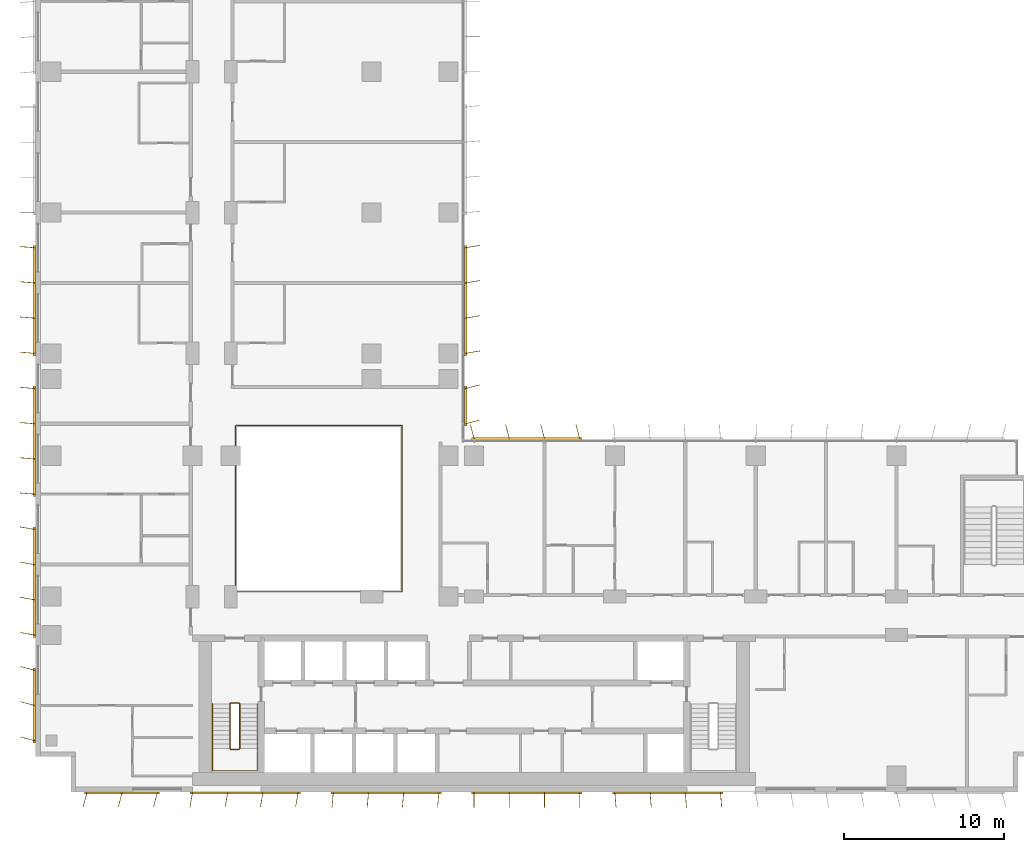
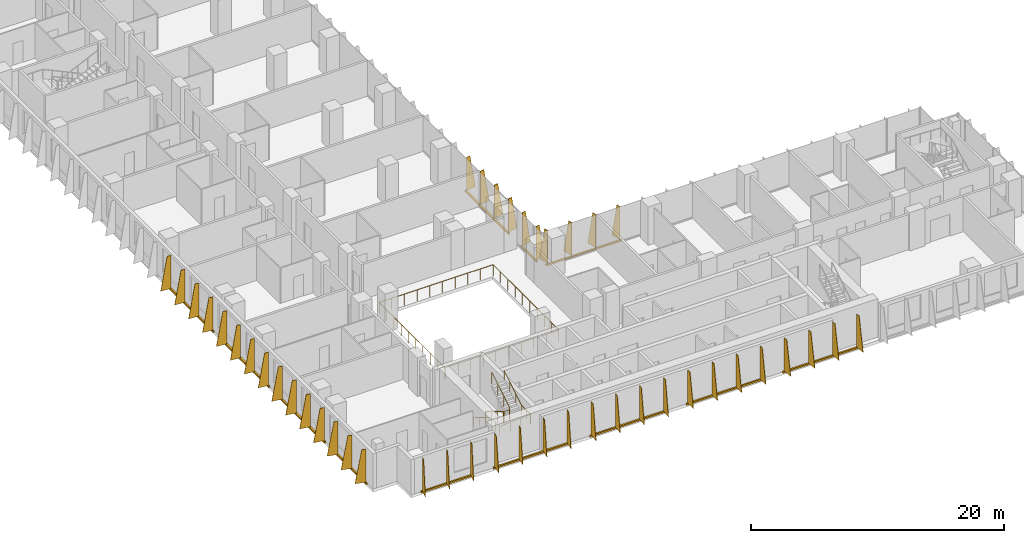
# One storey, part 19 of 22: 12 shading devices, 3 railings.
"""IFC4 building model written with IfcOpenShell, lengths in metres."""

from ifc_helpers import new_model, si_unit, direction, frame, origin, origin_2d, place, context, subcontext, project, spatial, polyline, rectangle, circle, outline, extrude, source, transform, mapped, material, layer, layer_set, type_object, element, save


model = new_model("IFC4")

# Units and contexts
model_context = context("Model", 3, precision=1e-05, world=origin(), true_north=direction((0.0, 1.0)))
body_context = subcontext(model_context, "Body", "Model", "MODEL_VIEW")
ifc_project = project(units=[si_unit("LENGTHUNIT", "METRE"), si_unit("AREAUNIT", "SQUARE_METRE"), si_unit("VOLUMEUNIT", "CUBIC_METRE"), si_unit("PLANEANGLEUNIT", "RADIAN"), si_unit("MASSUNIT", "GRAM", prefix="KILO")], contexts=[model_context])

# Site, building, storey
site_placement = place(None, origin())
site = spatial("IfcSite", under=ifc_project, at=site_placement, CompositionType="ELEMENT")
building_placement = place(site_placement, origin())
building = spatial("IfcBuilding", under=site, at=building_placement, Name="Kemantara Hotel Tower", CompositionType="ELEMENT")
storey_placement = place(building_placement, frame((0.0, 0.0, 145.699951171875)))
storey = spatial("IfcBuildingStorey", under=building, at=storey_placement, Name="L35", CompositionType="ELEMENT", Elevation=145.699951171875)

# Railings
ifc_material_1 = material(Name="Stainless steel and laminated glass balustrade", Category="steel")
railing_type_1 = type_object("IfcRailingType", Name="ATRIUM GUARD 1100", PredefinedType="GUARDRAIL", material=ifc_material_1)
railing_1_placement = place(storey_placement, frame((12.56005859375, 12.5, 0.0)))
element("IfcRailing", 1, at=railing_1_placement, inside=storey, type_object=railing_type_1, Name="ATRIUM GUARD L35", PredefinedType="GUARDRAIL", context=body_context, shape_type="SweptSolid", body=[
    extrude(circle(Radius=0.02490234375, at=origin_2d()), frame((0.0, 0.0, 1.0751953125), z_axis=(1.0, 0.0, 0.0), x_axis=(0.0, 1.0, 0.0)), (0.0, 0.0, 1.0), 10.33984375),
    extrude(circle(Radius=0.02490234375, at=origin_2d()), frame((10.33984375, 0.0, 1.0751953125), z_axis=(0.0, 1.0, 0.0), x_axis=(-1.0, 0.0, 0.0)), (0.0, 0.0, 1.0), 10.39990234375),
    extrude(circle(Radius=0.02490234375, at=origin_2d()), frame((10.33984375, 10.39990234375, 1.0751953125), z_axis=(-1.0, 0.0, 0.0), x_axis=(0.0, -1.0, 0.0)), (0.0, 0.0, 1.0), 10.39990234375),
    extrude(circle(Radius=0.02490234375, at=origin_2d()), frame((-0.06005859375, 10.39990234375, 1.0751953125), z_axis=(0.0, -1.0, 0.0), x_axis=(1.0, 0.0, 0.0)), (0.0, 0.0, 1.0), 10.39990234375),
    extrude(circle(Radius=0.02001953125, at=origin_2d()), origin(), (0.0, 0.0, 1.0), 1.050048828125),
    extrude(circle(Radius=0.02001953125, at=origin_2d()), frame((1.14892578125, 0.0, 0.0)), (0.0, 0.0, 1.0), 1.050048828125),
    extrude(circle(Radius=0.02001953125, at=origin_2d()), frame((2.2978515625, 0.0, 0.0)), (0.0, 0.0, 1.0), 1.050048828125),
    extrude(circle(Radius=0.02001953125, at=origin_2d()), frame((3.446533203125, 0.0, 0.0)), (0.0, 0.0, 1.0), 1.050048828125),
    extrude(circle(Radius=0.02001953125, at=origin_2d()), frame((4.595458984375, 0.0, 0.0)), (0.0, 0.0, 1.0), 1.050048828125),
    extrude(circle(Radius=0.02001953125, at=origin_2d()), frame((5.744384765625, 0.0, 0.0)), (0.0, 0.0, 1.0), 1.050048828125),
    extrude(circle(Radius=0.02001953125, at=origin_2d()), frame((6.893310546875, 0.0, 0.0)), (0.0, 0.0, 1.0), 1.050048828125),
    extrude(circle(Radius=0.02001953125, at=origin_2d()), frame((8.0419921875, 0.0, 0.0)), (0.0, 0.0, 1.0), 1.050048828125),
    extrude(circle(Radius=0.02001953125, at=origin_2d()), frame((9.19091796875, 0.0, 0.0)), (0.0, 0.0, 1.0), 1.050048828125),
    extrude(circle(Radius=0.02001953125, at=origin_2d()), frame((10.33984375, 0.0, 0.0)), (0.0, 0.0, 1.0), 1.050048828125),
    extrude(circle(Radius=0.02001953125, at=origin_2d()), frame((10.33984375, 1.155517578125, 0.0)), (0.0, 0.0, 1.0), 1.050048828125),
    extrude(circle(Radius=0.02001953125, at=origin_2d()), frame((10.33984375, 2.31103515625, 0.0)), (0.0, 0.0, 1.0), 1.050048828125),
    extrude(circle(Radius=0.02001953125, at=origin_2d()), frame((10.33984375, 3.466552734375, 0.0)), (0.0, 0.0, 1.0), 1.050048828125),
    extrude(circle(Radius=0.02001953125, at=origin_2d()), frame((10.33984375, 4.6220703125, 0.0)), (0.0, 0.0, 1.0), 1.050048828125),
    extrude(circle(Radius=0.02001953125, at=origin_2d()), frame((10.33984375, 5.77783203125, 0.0)), (0.0, 0.0, 1.0), 1.050048828125),
    extrude(circle(Radius=0.02001953125, at=origin_2d()), frame((10.33984375, 6.933349609375, 0.0)), (0.0, 0.0, 1.0), 1.050048828125),
    extrude(circle(Radius=0.02001953125, at=origin_2d()), frame((10.33984375, 8.0888671875, 0.0)), (0.0, 0.0, 1.0), 1.050048828125),
    extrude(circle(Radius=0.02001953125, at=origin_2d()), frame((10.33984375, 9.244384765625, 0.0)), (0.0, 0.0, 1.0), 1.050048828125),
    extrude(circle(Radius=0.02001953125, at=origin_2d()), frame((10.33984375, 10.39990234375, 0.0)), (0.0, 0.0, 1.0), 1.050048828125),
    extrude(circle(Radius=0.02001953125, at=origin_2d()), frame((9.184326171875, 10.39990234375, 0.0)), (0.0, 0.0, 1.0), 1.050048828125),
    extrude(circle(Radius=0.02001953125, at=origin_2d()), frame((8.02880859375, 10.39990234375, 0.0)), (0.0, 0.0, 1.0), 1.050048828125),
    extrude(circle(Radius=0.02001953125, at=origin_2d()), frame((6.873291015625, 10.39990234375, 0.0)), (0.0, 0.0, 1.0), 1.050048828125),
    extrude(circle(Radius=0.02001953125, at=origin_2d()), frame((5.7177734375, 10.39990234375, 0.0)), (0.0, 0.0, 1.0), 1.050048828125),
    extrude(circle(Radius=0.02001953125, at=origin_2d()), frame((4.56201171875, 10.39990234375, 0.0)), (0.0, 0.0, 1.0), 1.050048828125),
    extrude(circle(Radius=0.02001953125, at=origin_2d()), frame((3.406494140625, 10.39990234375, 0.0)), (0.0, 0.0, 1.0), 1.050048828125),
    extrude(circle(Radius=0.02001953125, at=origin_2d()), frame((2.2509765625, 10.39990234375, 0.0)), (0.0, 0.0, 1.0), 1.050048828125),
    extrude(circle(Radius=0.02001953125, at=origin_2d()), frame((1.095458984375, 10.39990234375, 0.0)), (0.0, 0.0, 1.0), 1.050048828125),
    extrude(circle(Radius=0.02001953125, at=origin_2d()), frame((-0.06005859375, 10.39990234375, 0.0)), (0.0, 0.0, 1.0), 1.050048828125),
    extrude(circle(Radius=0.02001953125, at=origin_2d()), frame((-0.06005859375, 9.244384765625, 0.0)), (0.0, 0.0, 1.0), 1.050048828125),
    extrude(circle(Radius=0.02001953125, at=origin_2d()), frame((-0.06005859375, 8.0888671875, 0.0)), (0.0, 0.0, 1.0), 1.050048828125),
    extrude(circle(Radius=0.02001953125, at=origin_2d()), frame((-0.06005859375, 6.933349609375, 0.0)), (0.0, 0.0, 1.0), 1.050048828125),
    extrude(circle(Radius=0.02001953125, at=origin_2d()), frame((-0.06005859375, 5.77783203125, 0.0)), (0.0, 0.0, 1.0), 1.050048828125),
    extrude(circle(Radius=0.02001953125, at=origin_2d()), frame((-0.06005859375, 4.6220703125, 0.0)), (0.0, 0.0, 1.0), 1.050048828125),
    extrude(circle(Radius=0.02001953125, at=origin_2d()), frame((-0.06005859375, 3.466552734375, 0.0)), (0.0, 0.0, 1.0), 1.050048828125),
    extrude(circle(Radius=0.02001953125, at=origin_2d()), frame((-0.06005859375, 2.31103515625, 0.0)), (0.0, 0.0, 1.0), 1.050048828125),
    extrude(circle(Radius=0.02001953125, at=origin_2d()), frame((-0.06005859375, 1.155517578125, 0.0)), (0.0, 0.0, 1.0), 1.050048828125),
    extrude(circle(Radius=0.02001953125, at=origin_2d()), frame((-0.06005859375, 0.0, 0.0)), (0.0, 0.0, 1.0), 1.050048828125),
])
ifc_material_2 = material(Name="Stainless steel balustrade", Category="steel")
railing_type_2 = type_object("IfcRailingType", Name="Stair guard 1100 mm", PredefinedType="GUARDRAIL", material=ifc_material_2)
railing_2_placement = place(storey_placement, frame((12.75, 5.5, 3.699951171875)))
element("IfcRailing", 2, at=railing_2_placement, inside=storey, type_object=railing_type_2, Name="L35 ST1 stair guard 1", PredefinedType="GUARDRAIL", context=body_context, shape_type="SweptSolid", body=[
    extrude(circle(Radius=0.02392578125, at=origin_2d()), frame((0.0, 0.0, 1.076171875), z_axis=(0.0, -0.857275202839, -0.514858452973), x_axis=(1.0, 0.0, 0.0)), (0.0, 0.0, 1.0), 3.26611328125),
    extrude(circle(Radius=0.02392578125, at=origin_2d()), frame((0.0, -2.800048828125, -0.60546875), z_axis=(-0.274243871929, -0.274243871929, -0.92172696468), x_axis=(0.707106781187, -0.707106781187, 0.0)), (0.0, 0.0, 1.0), 0.1826171875),
    extrude(circle(Radius=0.02392578125, at=origin_2d()), frame((-0.050048828125, -2.85009765625, -0.77392578125), z_axis=(-1.0, 0.0, 0.0), x_axis=(0.0, -1.0, 0.0)), (0.0, 0.0, 1.0), 0.5),
    extrude(circle(Radius=0.02392578125, at=origin_2d()), frame((-0.550048828125, -2.85009765625, -0.77392578125), z_axis=(-0.707106781187, 0.707106781187, 0.0), x_axis=(-0.707106781187, -0.707106781187, 0.0)), (0.0, 0.0, 1.0), 0.07080078125),
    extrude(circle(Radius=0.02392578125, at=origin_2d()), frame((-0.60009765625, -2.800048828125, -0.77392578125), z_axis=(0.0, 0.857242210791, -0.514913383045), x_axis=(-1.0, 0.0, 0.0)), (0.0, 0.0, 1.0), 3.266357421875),
    extrude(circle(Radius=0.02392578125, at=origin_2d()), frame((-0.60009765625, 0.0, -2.45556640625), z_axis=(0.274243871929, 0.274243871929, -0.92172696468), x_axis=(-0.707106781187, 0.707106781187, 0.0)), (0.0, 0.0, 1.0), 0.1826171875),
    extrude(circle(Radius=0.02392578125, at=origin_2d()), frame((-0.550048828125, 0.050048828125, -2.6240234375), z_axis=(1.0, 0.0, 0.0), x_axis=(0.0, 1.0, 0.0)), (0.0, 0.0, 1.0), 0.5),
    extrude(circle(Radius=0.02099609375, at=origin_2d()), origin(), (0.0, 0.0, 1.0), 1.052001953125),
    extrude(circle(Radius=0.02099609375, at=origin_2d()), frame((0.0, -0.933349609375, -0.560546875)), (0.0, 0.0, 1.0), 1.052001953125),
    extrude(circle(Radius=0.02099609375, at=origin_2d()), frame((0.0, -1.86669921875, -1.12109375)), (0.0, 0.0, 1.0), 1.052001953125),
    extrude(circle(Radius=0.02099609375, at=origin_2d()), frame((0.0, -2.800048828125, -1.681640625)), (0.0, 0.0, 1.0), 1.052001953125),
    extrude(circle(Radius=0.02099609375, at=origin_2d()), frame((-0.050048828125, -2.85009765625, -1.849853515625)), (0.0, 0.0, 1.0), 1.052001953125),
    extrude(circle(Radius=0.02099609375, at=origin_2d()), frame((-0.550048828125, -2.85009765625, -1.849853515625)), (0.0, 0.0, 1.0), 1.052001953125),
    extrude(circle(Radius=0.02099609375, at=origin_2d()), frame((-0.60009765625, -2.800048828125, -1.849853515625)), (0.0, 0.0, 1.0), 1.052001953125),
    extrude(circle(Radius=0.02099609375, at=origin_2d()), frame((-0.60009765625, -1.86669921875, -2.410400390625)), (0.0, 0.0, 1.0), 1.052001953125),
    extrude(circle(Radius=0.02099609375, at=origin_2d()), frame((-0.60009765625, -0.933349609375, -2.97119140625)), (0.0, 0.0, 1.0), 1.052001953125),
    extrude(circle(Radius=0.02099609375, at=origin_2d()), frame((-0.60009765625, 0.0, -3.53173828125)), (0.0, 0.0, 1.0), 1.052001953125),
    extrude(circle(Radius=0.02099609375, at=origin_2d()), frame((-0.550048828125, 0.050048828125, -3.699951171875)), (0.0, 0.0, 1.0), 1.052001953125),
    extrude(circle(Radius=0.02099609375, at=origin_2d()), frame((-0.050048828125, 0.050048828125, -3.699951171875)), (0.0, 0.0, 1.0), 1.052001953125),
])
railing_type_3 = type_object("IfcRailingType", Name="Stair handrail 900 mm", PredefinedType="HANDRAIL", material=ifc_material_2)
railing_3_placement = place(storey_placement, frame((11.050048828125, 5.5, 0.168212890625)))
element("IfcRailing", 3, at=railing_3_placement, inside=storey, type_object=railing_type_3, Name="L35 ST1 stair handrail 1", PredefinedType="HANDRAIL", context=body_context, shape_type="SweptSolid", body=[
    extrude(circle(Radius=0.02392578125, at=origin_2d()), frame((0.0, 0.0, 0.8759765625), z_axis=(0.0, -0.857242210791, 0.514913383045), x_axis=(1.0, 0.0, 0.0)), (0.0, 0.0, 1.0), 3.266357421875),
    extrude(circle(Radius=0.02392578125, at=origin_2d()), frame((0.0, -2.800048828125, 2.5576171875), z_axis=(0.0, -1.0, 0.0), x_axis=(1.0, 0.0, 0.0)), (0.0, 0.0, 1.0), 1.3798828125),
    extrude(circle(Radius=0.02392578125, at=origin_2d()), frame((0.0, -4.179931640625, 2.5576171875), z_axis=(0.998200367801, 0.0, 0.059966871865), x_axis=(0.0, 1.0, 0.0)), (0.0, 0.0, 1.0), 2.80517578125),
    extrude(circle(Radius=0.02392578125, at=origin_2d()), frame((2.800048828125, -4.179931640625, 2.72607421875), z_axis=(0.0, 1.0, 0.0), x_axis=(-1.0, 0.0, 0.0)), (0.0, 0.0, 1.0), 1.3798828125),
    extrude(circle(Radius=0.02392578125, at=origin_2d()), frame((2.800048828125, -2.800048828125, 2.72607421875), z_axis=(0.0, 0.857275202839, 0.514858452973), x_axis=(-1.0, 0.0, 0.0)), (0.0, 0.0, 1.0), 3.26611328125),
    extrude(circle(Radius=0.02099609375, at=origin_2d()), origin(), (0.0, 0.0, 1.0), 0.851806640625),
    extrude(circle(Radius=0.02099609375, at=origin_2d()), frame((0.0, -0.933349609375, 0.560546875)), (0.0, 0.0, 1.0), 0.851806640625),
    extrude(circle(Radius=0.02099609375, at=origin_2d()), frame((0.0, -1.86669921875, 1.121337890625)), (0.0, 0.0, 1.0), 0.851806640625),
    extrude(circle(Radius=0.02099609375, at=origin_2d()), frame((0.0, -2.800048828125, 1.681884765625)), (0.0, 0.0, 1.0), 0.851806640625),
    extrude(circle(Radius=0.02099609375, at=origin_2d()), frame((0.0, -3.489990234375, 1.681884765625)), (0.0, 0.0, 1.0), 0.851806640625),
    extrude(circle(Radius=0.02099609375, at=origin_2d()), frame((0.0, -4.179931640625, 1.681884765625)), (0.0, 0.0, 1.0), 0.851806640625),
    extrude(circle(Radius=0.02099609375, at=origin_2d()), frame((0.933349609375, -4.179931640625, 1.738037109375)), (0.0, 0.0, 1.0), 0.851806640625),
    extrude(circle(Radius=0.02099609375, at=origin_2d()), frame((1.86669921875, -4.179931640625, 1.7939453125)), (0.0, 0.0, 1.0), 0.851806640625),
    extrude(circle(Radius=0.02099609375, at=origin_2d()), frame((2.800048828125, -4.179931640625, 1.85009765625)), (0.0, 0.0, 1.0), 0.851806640625),
    extrude(circle(Radius=0.02099609375, at=origin_2d()), frame((2.800048828125, -3.489990234375, 1.85009765625)), (0.0, 0.0, 1.0), 0.851806640625),
    extrude(circle(Radius=0.02099609375, at=origin_2d()), frame((2.800048828125, -2.800048828125, 1.85009765625)), (0.0, 0.0, 1.0), 0.851806640625),
    extrude(circle(Radius=0.02099609375, at=origin_2d()), frame((2.800048828125, -1.86669921875, 2.41064453125)), (0.0, 0.0, 1.0), 0.851806640625),
    extrude(circle(Radius=0.02099609375, at=origin_2d()), frame((2.800048828125, -0.933349609375, 2.97119140625)), (0.0, 0.0, 1.0), 0.851806640625),
    extrude(circle(Radius=0.02099609375, at=origin_2d()), frame((2.800048828125, 0.0, 3.53173828125)), (0.0, 0.0, 1.0), 0.851806640625),
])

# Shading devices
ifc_material_3 = material(Name="Perforated aluminium plate 4 mm bronze anodised", Category="aluminium")
ifc_layer_1 = layer(ifc_material_3, 0.0400390625)
ifc_layer_set_1 = layer_set([ifc_layer_1], Name="Perforated aluminium plate 4 mm bronze anodised")
shading_device_type_1 = type_object("IfcShadingDeviceType", Name="SCREEN FIN CASSETTE, 3 BLADES AT -15.0 DEG, 3200 HIGH", PredefinedType="USERDEFINED", material=ifc_layer_set_1)
shared_shape_1 = source(origin(), body_context, "Body", "SweptSolid", [
    extrude(rectangle(XDim=4.699951171875, YDim=0.14990234375, at=origin_2d()), frame((2.199951171875, -0.074951171875, -0.14990234375), z_axis=(0.0, 0.0, 1.0), x_axis=(1.0, 0.0, 0.0)), (0.0, 0.0, 1.0), 0.14990234375),
    extrude(outline(polyline([(0.0, 0.0), (0.89990234375, 0.0), (0.35009765625, 3.199951171875), (0.0, 3.199951171875), (0.0, 0.0)])), frame((0.019287109375, -0.080078125, 0.0), z_axis=(-0.966437683387, 0.256901156343, 0.0), x_axis=(-0.256901156343, -0.966437683387, 0.0)), (0.0, 0.0, 1.0), 0.039794921875),
    extrude(outline(polyline([(0.0, 0.0), (0.89990234375, 0.0), (0.35009765625, 3.199951171875), (0.0, 3.199951171875), (0.0, 0.0)])), frame((2.21923828125, -0.080078125, 0.0), z_axis=(-0.966437683387, 0.256901156343, 0.0), x_axis=(-0.256901156343, -0.966437683387, 0.0)), (0.0, 0.0, 1.0), 0.039794921875),
    extrude(outline(polyline([(0.0, 0.0), (0.89990234375, 0.0), (0.35009765625, 3.199951171875), (0.0, 3.199951171875), (0.0, 0.0)])), frame((4.41943359375, -0.080078125, 0.0), z_axis=(-0.966837822169, 0.255391122837, 0.0), x_axis=(-0.255391122837, -0.966837822169, 0.0)), (0.0, 0.0, 1.0), 0.0400390625),
])
for number, where, z_axis, x_axis, name in (
    (4, (0.0, 7.60009765625, 0.10009765625), (0.0, 0.0, 1.0), (0.0, -1.0, 0.0), "SCREEN FIN CASSETTE L35 T2-R04-9"),
    (5, (3.199951171875, 0.0, 0.10009765625), (0.0, 0.0, 1.0), (1.0, 0.0, 0.0), "SCREEN FIN CASSETTE L35 T2-R07-1"),
):
    element("IfcShadingDevice", number, at=place(storey_placement, frame(where, z_axis=z_axis, x_axis=x_axis)), inside=storey, type_object=shading_device_type_1, Name=name, ObjectType="SCREEN FIN", PredefinedType="USERDEFINED", context=body_context, shape_type="MappedRepresentation", body=[
        mapped(shared_shape_1, transform((0.0, 0.0, 0.0))),
    ])
ifc_layer_2 = layer(ifc_material_3, 0.0400390625)
ifc_layer_set_2 = layer_set([ifc_layer_2], Name="Perforated aluminium plate 4 mm bronze anodised")
shading_device_type_2 = type_object("IfcShadingDeviceType", Name="SCREEN FIN CASSETTE, 4 BLADES AT -10.0 DEG, 3200 HIGH", PredefinedType="USERDEFINED", material=ifc_layer_set_2)
shared_shape_2 = source(origin(), body_context, "Body", "SweptSolid", [
    extrude(rectangle(XDim=6.89990234375, YDim=0.14990234375, at=origin_2d()), frame((3.300048828125, -0.074951171875, -0.14990234375), z_axis=(0.0, 0.0, 1.0), x_axis=(1.0, 0.0, 0.0)), (0.0, 0.0, 1.0), 0.14990234375),
    extrude(outline(polyline([(0.0, 0.0), (0.89990234375, 0.0), (0.35009765625, 3.199951171875), (0.0, 3.199951171875), (0.0, 0.0)])), frame((0.019775390625, -0.078369140625, 0.0), z_axis=(-0.985389793052, 0.170314285219, 0.0), x_axis=(-0.170314285219, -0.985389793052, 0.0)), (0.0, 0.0, 1.0), 0.0400390625),
    extrude(outline(polyline([(0.0, 0.0), (0.89990234375, 0.0), (0.35009765625, 3.199951171875), (0.0, 3.199951171875), (0.0, 0.0)])), frame((2.2197265625, -0.078369140625, 0.0), z_axis=(-0.98521175482, 0.171341174751, 0.0), x_axis=(-0.171341174751, -0.98521175482, 0.0)), (0.0, 0.0, 1.0), 0.039794921875),
    extrude(outline(polyline([(0.0, 0.0), (0.89990234375, 0.0), (0.35009765625, 3.199951171875), (0.0, 3.199951171875), (0.0, 0.0)])), frame((4.419677734375, -0.078369140625, 0.0), z_axis=(-0.98521175482, 0.171341174751, 0.0), x_axis=(-0.171341174751, -0.98521175482, 0.0)), (0.0, 0.0, 1.0), 0.039794921875),
    extrude(outline(polyline([(0.0, 0.0), (0.89990234375, 0.0), (0.35009765625, 3.199951171875), (0.0, 3.199951171875), (0.0, 0.0)])), frame((6.61962890625, -0.078369140625, 0.0), z_axis=(-0.98521175482, 0.171341174751, 0.0), x_axis=(-0.171341174751, -0.98521175482, 0.0)), (0.0, 0.0, 1.0), 0.039794921875),
])
for number, where, z_axis, x_axis, name in (
    (6, (0.0, 16.39990234375, 0.10009765625), (0.0, 0.0, 1.0), (0.0, -1.0, 0.0), "SCREEN FIN CASSETTE L35 T2-R04-8"),
    (7, (9.800048828125, 0.0, 0.10009765625), (0.0, 0.0, 1.0), (1.0, 0.0, 0.0), "SCREEN FIN CASSETTE L35 T2-R07-2"),
):
    element("IfcShadingDevice", number, at=place(storey_placement, frame(where, z_axis=z_axis, x_axis=x_axis)), inside=storey, type_object=shading_device_type_2, Name=name, ObjectType="SCREEN FIN", PredefinedType="USERDEFINED", context=body_context, shape_type="MappedRepresentation", body=[
        mapped(shared_shape_2, transform((0.0, 0.0, 0.0))),
    ])
ifc_layer_3 = layer(ifc_material_3, 0.0400390625)
ifc_layer_set_3 = layer_set([ifc_layer_3], Name="Perforated aluminium plate 4 mm bronze anodised")
shading_device_type_3 = type_object("IfcShadingDeviceType", Name="SCREEN FIN CASSETTE, 4 BLADES AT -5.0 DEG, 3200 HIGH", PredefinedType="USERDEFINED", material=ifc_layer_set_3)
shared_shape_3 = source(origin(), body_context, "Body", "SweptSolid", [
    extrude(rectangle(XDim=6.89990234375, YDim=0.14990234375, at=origin_2d()), frame((3.300048828125, -0.074951171875, -0.14990234375), z_axis=(0.0, 0.0, 1.0), x_axis=(1.0, 0.0, 0.0)), (0.0, 0.0, 1.0), 0.14990234375),
    extrude(outline(polyline([(0.0, 0.0), (0.89990234375, 0.0), (0.35009765625, 3.199951171875), (0.0, 3.199951171875), (0.0, 0.0)])), frame((0.02001953125, -0.07666015625, 0.0), z_axis=(-0.996376129781, 0.085056498884, 0.0), x_axis=(-0.085056498884, -0.996376129781, 0.0)), (0.0, 0.0, 1.0), 0.040283203125),
    extrude(outline(polyline([(0.0, 0.0), (0.89990234375, 0.0), (0.35009765625, 3.199951171875), (0.0, 3.199951171875), (0.0, 0.0)])), frame((2.219970703125, -0.07666015625, 0.0), z_axis=(-0.996331773833, 0.085574508182, 0.0), x_axis=(-0.085574508182, -0.996331773833, 0.0)), (0.0, 0.0, 1.0), 0.0400390625),
    extrude(outline(polyline([(0.0, 0.0), (0.89990234375, 0.0), (0.35009765625, 3.199951171875), (0.0, 3.199951171875), (0.0, 0.0)])), frame((4.419921875, -0.07666015625, 0.0), z_axis=(-0.996331773833, 0.085574508182, 0.0), x_axis=(-0.085574508182, -0.996331773833, 0.0)), (0.0, 0.0, 1.0), 0.0400390625),
    extrude(outline(polyline([(0.0, 0.0), (0.89990234375, 0.0), (0.35009765625, 3.199951171875), (0.0, 3.199951171875), (0.0, 0.0)])), frame((6.619873046875, -0.07666015625, 0.0), z_axis=(-0.996331773833, 0.085574508182, 0.0), x_axis=(-0.085574508182, -0.996331773833, 0.0)), (0.0, 0.0, 1.0), 0.0400390625),
])
for number, where, z_axis, x_axis, name in (
    (8, (0.0, 34.0, 0.10009765625), (0.0, 0.0, 1.0), (0.0, -1.0, 0.0), "SCREEN FIN CASSETTE L35 T2-R04-6"),
    (9, (0.0, 25.199951171875, 0.10009765625), (0.0, 0.0, 1.0), (0.0, -1.0, 0.0), "SCREEN FIN CASSETTE L35 T2-R04-7"),
    (10, (18.60009765625, 0.0, 0.10009765625), (0.0, 0.0, 1.0), (1.0, 0.0, 0.0), "SCREEN FIN CASSETTE L35 T2-R07-3"),
):
    element("IfcShadingDevice", number, at=place(storey_placement, frame(where, z_axis=z_axis, x_axis=x_axis)), inside=storey, type_object=shading_device_type_3, Name=name, ObjectType="SCREEN FIN", PredefinedType="USERDEFINED", context=body_context, shape_type="MappedRepresentation", body=[
        mapped(shared_shape_3, transform((0.0, 0.0, 0.0))),
    ])
ifc_layer_4 = layer(ifc_material_3, 0.0400390625)
ifc_layer_set_4 = layer_set([ifc_layer_4], Name="Perforated aluminium plate 4 mm bronze anodised")
shading_device_type_4 = type_object("IfcShadingDeviceType", Name="SCREEN FIN CASSETTE, 4 BLADES AT +0.0 DEG, 3200 HIGH", PredefinedType="USERDEFINED", material=ifc_layer_set_4)
shared_shape_4 = source(origin(), body_context, "Body", "SweptSolid", [
    extrude(rectangle(XDim=6.89990234375, YDim=0.14990234375, at=origin_2d()), frame((3.300048828125, -0.074951171875, -0.14990234375), z_axis=(0.0, 0.0, 1.0), x_axis=(1.0, 0.0, 0.0)), (0.0, 0.0, 1.0), 0.14990234375),
    extrude(outline(polyline([(0.0, 0.0), (0.89990234375, 0.0), (0.35009765625, 3.199951171875), (0.0, 3.199951171875), (0.0, 0.0)])), frame((0.02001953125, -0.074951171875, 0.0), z_axis=(-1.0, 0.0, 0.0), x_axis=(0.0, -1.0, 0.0)), (0.0, 0.0, 1.0), 0.0400390625),
    extrude(outline(polyline([(0.0, 0.0), (0.89990234375, 0.0), (0.35009765625, 3.199951171875), (0.0, 3.199951171875), (0.0, 0.0)])), frame((2.219970703125, -0.074951171875, 0.0), z_axis=(-1.0, 0.0, 0.0), x_axis=(0.0, -1.0, 0.0)), (0.0, 0.0, 1.0), 0.0400390625),
    extrude(outline(polyline([(0.0, 0.0), (0.89990234375, 0.0), (0.35009765625, 3.199951171875), (0.0, 3.199951171875), (0.0, 0.0)])), frame((4.419921875, -0.074951171875, 0.0), z_axis=(-1.0, 0.0, 0.0), x_axis=(0.0, -1.0, 0.0)), (0.0, 0.0, 1.0), 0.0400390625),
    extrude(outline(polyline([(0.0, 0.0), (0.89990234375, 0.0), (0.35009765625, 3.199951171875), (0.0, 3.199951171875), (0.0, 0.0)])), frame((6.6201171875, -0.074951171875, 0.0), z_axis=(-1.0, 0.0, 0.0), x_axis=(0.0, -1.0, 0.0)), (0.0, 0.0, 1.0), 0.0400390625),
])
shading_device_1_placement = place(storey_placement, frame((27.39990234375, 0.0, 0.10009765625), z_axis=(0.0, 0.0, 1.0), x_axis=(1.0, 0.0, 0.0)))
element("IfcShadingDevice", 11, at=shading_device_1_placement, inside=storey, type_object=shading_device_type_4, Name="SCREEN FIN CASSETTE L35 T2-R07-4", ObjectType="SCREEN FIN", PredefinedType="USERDEFINED", context=body_context, shape_type="MappedRepresentation", body=[
    mapped(shared_shape_4, transform((0.0, 0.0, 0.0))),
])
ifc_layer_5 = layer(ifc_material_3, 0.0400390625)
ifc_layer_set_5 = layer_set([ifc_layer_5], Name="Perforated aluminium plate 4 mm bronze anodised")
shading_device_type_5 = type_object("IfcShadingDeviceType", Name="SCREEN FIN CASSETTE, 4 BLADES AT +5.0 DEG, 3200 HIGH", PredefinedType="USERDEFINED", material=ifc_layer_set_5)
shared_shape_5 = source(origin(), body_context, "Body", "SweptSolid", [
    extrude(rectangle(XDim=6.89990234375, YDim=0.14990234375, at=origin_2d()), frame((3.300048828125, -0.074951171875, -0.14990234375), z_axis=(0.0, 0.0, 1.0), x_axis=(1.0, 0.0, 0.0)), (0.0, 0.0, 1.0), 0.14990234375),
    extrude(outline(polyline([(0.0, 0.0), (0.89990234375, 0.0), (0.35009765625, 3.199951171875), (0.0, 3.199951171875), (0.0, 0.0)])), frame((0.02001953125, -0.0732421875, 0.0), z_axis=(-0.996376129781, -0.085056498884, 0.0), x_axis=(0.085056498884, -0.996376129781, 0.0)), (0.0, 0.0, 1.0), 0.040283203125),
    extrude(outline(polyline([(0.0, 0.0), (0.89990234375, 0.0), (0.35009765625, 3.199951171875), (0.0, 3.199951171875), (0.0, 0.0)])), frame((2.219970703125, -0.0732421875, 0.0), z_axis=(-0.996331773833, -0.085574508182, 0.0), x_axis=(0.085574508182, -0.996331773833, 0.0)), (0.0, 0.0, 1.0), 0.0400390625),
    extrude(outline(polyline([(0.0, 0.0), (0.89990234375, 0.0), (0.35009765625, 3.199951171875), (0.0, 3.199951171875), (0.0, 0.0)])), frame((4.419921875, -0.0732421875, 0.0), z_axis=(-0.996331773833, -0.085574508182, 0.0), x_axis=(0.085574508182, -0.996331773833, 0.0)), (0.0, 0.0, 1.0), 0.0400390625),
    extrude(outline(polyline([(0.0, 0.0), (0.89990234375, 0.0), (0.35009765625, 3.199951171875), (0.0, 3.199951171875), (0.0, 0.0)])), frame((6.619873046875, -0.0732421875, 0.0), z_axis=(-0.996331773833, -0.085574508182, 0.0), x_axis=(0.085574508182, -0.996331773833, 0.0)), (0.0, 0.0, 1.0), 0.0400390625),
])
shading_device_2_placement = place(storey_placement, frame((36.199951171875, 0.0, 0.10009765625), z_axis=(0.0, 0.0, 1.0), x_axis=(1.0, 0.0, 0.0)))
element("IfcShadingDevice", 12, at=shading_device_2_placement, inside=storey, type_object=shading_device_type_5, Name="SCREEN FIN CASSETTE L35 T2-R07-5", ObjectType="SCREEN FIN", PredefinedType="USERDEFINED", context=body_context, shape_type="MappedRepresentation", body=[
    mapped(shared_shape_5, transform((0.0, 0.0, 0.0))),
])
ifc_layer_6 = layer(ifc_material_3, 0.0400390625)
ifc_layer_set_6 = layer_set([ifc_layer_6], Name="Perforated aluminium plate 4 mm bronze anodised")
shading_device_type_6 = type_object("IfcShadingDeviceType", Name="SCREEN FIN CASSETTE, 4 BLADES AT +10.0 DEG, 3200 HIGH", PredefinedType="USERDEFINED", material=ifc_layer_set_6)
shared_shape_6 = source(origin(), body_context, "Body", "SweptSolid", [
    extrude(rectangle(XDim=6.89990234375, YDim=0.14990234375, at=origin_2d()), frame((3.300048828125, -0.074951171875, -0.14990234375), z_axis=(0.0, 0.0, 1.0), x_axis=(1.0, 0.0, 0.0)), (0.0, 0.0, 1.0), 0.14990234375),
    extrude(outline(polyline([(0.0, 0.0), (0.89990234375, 0.0), (0.35009765625, 3.199951171875), (0.0, 3.199951171875), (0.0, 0.0)])), frame((0.019775390625, -0.071533203125, 0.0), z_axis=(-0.985389793052, -0.170314285219, 0.0), x_axis=(0.170314285219, -0.985389793052, 0.0)), (0.0, 0.0, 1.0), 0.0400390625),
    extrude(outline(polyline([(0.0, 0.0), (0.89990234375, 0.0), (0.35009765625, 3.199951171875), (0.0, 3.199951171875), (0.0, 0.0)])), frame((2.2197265625, -0.071533203125, 0.0), z_axis=(-0.98521175482, -0.171341174751, 0.0), x_axis=(0.171341174751, -0.98521175482, 0.0)), (0.0, 0.0, 1.0), 0.039794921875),
    extrude(outline(polyline([(0.0, 0.0), (0.89990234375, 0.0), (0.35009765625, 3.199951171875), (0.0, 3.199951171875), (0.0, 0.0)])), frame((4.419677734375, -0.071533203125, 0.0), z_axis=(-0.98521175482, -0.171341174751, 0.0), x_axis=(0.171341174751, -0.98521175482, 0.0)), (0.0, 0.0, 1.0), 0.039794921875),
    extrude(outline(polyline([(0.0, 0.0), (0.89990234375, 0.0), (0.35009765625, 3.199951171875), (0.0, 3.199951171875), (0.0, 0.0)])), frame((6.61962890625, -0.071533203125, 0.0), z_axis=(-0.98521175482, -0.171341174751, 0.0), x_axis=(0.171341174751, -0.98521175482, 0.0)), (0.0, 0.0, 1.0), 0.039794921875),
])
shading_device_3_placement = place(storey_placement, frame((26.800048828125, 27.39990234375, 0.10009765625), z_axis=(0.0, 0.0, 1.0), x_axis=(0.0, 1.0, 0.0)))
element("IfcShadingDevice", 13, at=shading_device_3_placement, inside=storey, type_object=shading_device_type_6, Name="SCREEN FIN CASSETTE L35 T2-R14-2", ObjectType="SCREEN FIN", PredefinedType="USERDEFINED", context=body_context, shape_type="MappedRepresentation", body=[
    mapped(shared_shape_6, transform((0.0, 0.0, 0.0))),
])
ifc_layer_7 = layer(ifc_material_3, 0.0400390625)
ifc_layer_set_7 = layer_set([ifc_layer_7], Name="Perforated aluminium plate 4 mm bronze anodised")
shading_device_type_7 = type_object("IfcShadingDeviceType", Name="SCREEN FIN CASSETTE, 4 BLADES AT +15.0 DEG, 3200 HIGH", PredefinedType="USERDEFINED", material=ifc_layer_set_7)
shared_shape_7 = source(origin(), body_context, "Body", "SweptSolid", [
    extrude(rectangle(XDim=6.89990234375, YDim=0.14990234375, at=origin_2d()), frame((3.300048828125, -0.074951171875, -0.14990234375), z_axis=(0.0, 0.0, 1.0), x_axis=(1.0, 0.0, 0.0)), (0.0, 0.0, 1.0), 0.14990234375),
    extrude(outline(polyline([(0.0, 0.0), (0.89990234375, 0.0), (0.35009765625, 3.199951171875), (0.0, 3.199951171875), (0.0, 0.0)])), frame((0.019287109375, -0.06982421875, 0.0), z_axis=(-0.966437683387, -0.256901156343, 0.0), x_axis=(0.256901156343, -0.966437683387, 0.0)), (0.0, 0.0, 1.0), 0.039794921875),
    extrude(outline(polyline([(0.0, 0.0), (0.89990234375, 0.0), (0.35009765625, 3.199951171875), (0.0, 3.199951171875), (0.0, 0.0)])), frame((2.21923828125, -0.06982421875, 0.0), z_axis=(-0.966437683387, -0.256901156343, 0.0), x_axis=(0.256901156343, -0.966437683387, 0.0)), (0.0, 0.0, 1.0), 0.039794921875),
    extrude(outline(polyline([(0.0, 0.0), (0.89990234375, 0.0), (0.35009765625, 3.199951171875), (0.0, 3.199951171875), (0.0, 0.0)])), frame((4.41943359375, -0.06982421875, 0.0), z_axis=(-0.966837822169, -0.255391122837, 0.0), x_axis=(0.255391122837, -0.966837822169, 0.0)), (0.0, 0.0, 1.0), 0.0400390625),
    extrude(outline(polyline([(0.0, 0.0), (0.89990234375, 0.0), (0.35009765625, 3.199951171875), (0.0, 3.199951171875), (0.0, 0.0)])), frame((6.619384765625, -0.06982421875, 0.0), z_axis=(-0.966837822169, -0.255391122837, 0.0), x_axis=(0.255391122837, -0.966837822169, 0.0)), (0.0, 0.0, 1.0), 0.0400390625),
])
shading_device_4_placement = place(storey_placement, frame((34.0, 22.0, 0.10009765625), z_axis=(0.0, 0.0, 1.0), x_axis=(-1.0, 0.0, 0.0)))
element("IfcShadingDevice", 14, at=shading_device_4_placement, inside=storey, type_object=shading_device_type_7, Name="SCREEN FIN CASSETTE L35 T2-R13-4", ObjectType="SCREEN FIN", PredefinedType="USERDEFINED", context=body_context, shape_type="MappedRepresentation", body=[
    mapped(shared_shape_7, transform((0.0, 0.0, 0.0))),
])
ifc_layer_8 = layer(ifc_material_3, 0.0400390625)
ifc_layer_set_8 = layer_set([ifc_layer_8], Name="Perforated aluminium plate 4 mm bronze anodised")
shading_device_type_8 = type_object("IfcShadingDeviceType", Name="SCREEN FIN CASSETTE, 2 BLADES AT +15.0 DEG, 3200 HIGH", PredefinedType="USERDEFINED", material=ifc_layer_set_8)
shared_shape_8 = source(origin(), body_context, "Body", "SweptSolid", [
    extrude(rectangle(XDim=2.5, YDim=0.14990234375, at=origin_2d()), frame((1.10009765625, -0.074951171875, -0.14990234375), z_axis=(0.0, 0.0, 1.0), x_axis=(1.0, 0.0, 0.0)), (0.0, 0.0, 1.0), 0.14990234375),
    extrude(outline(polyline([(0.0, 0.0), (0.89990234375, 0.0), (0.35009765625, 3.199951171875), (0.0, 3.199951171875), (0.0, 0.0)])), frame((0.019287109375, -0.06982421875, 0.0), z_axis=(-0.966437683387, -0.256901156343, 0.0), x_axis=(0.256901156343, -0.966437683387, 0.0)), (0.0, 0.0, 1.0), 0.039794921875),
    extrude(outline(polyline([(0.0, 0.0), (0.89990234375, 0.0), (0.35009765625, 3.199951171875), (0.0, 3.199951171875), (0.0, 0.0)])), frame((2.21923828125, -0.06982421875, 0.0), z_axis=(-0.966437683387, -0.256901156343, 0.0), x_axis=(0.256901156343, -0.966437683387, 0.0)), (0.0, 0.0, 1.0), 0.039794921875),
])
shading_device_5_placement = place(storey_placement, frame((26.800048828125, 23.0, 0.10009765625), z_axis=(0.0, 0.0, 1.0), x_axis=(0.0, 1.0, 0.0)))
element("IfcShadingDevice", 15, at=shading_device_5_placement, inside=storey, type_object=shading_device_type_8, Name="SCREEN FIN CASSETTE L35 T2-R14-1", ObjectType="SCREEN FIN", PredefinedType="USERDEFINED", context=body_context, shape_type="MappedRepresentation", body=[
    mapped(shared_shape_8, transform((0.0, 0.0, 0.0))),
])

save(model, "model.ifc")
